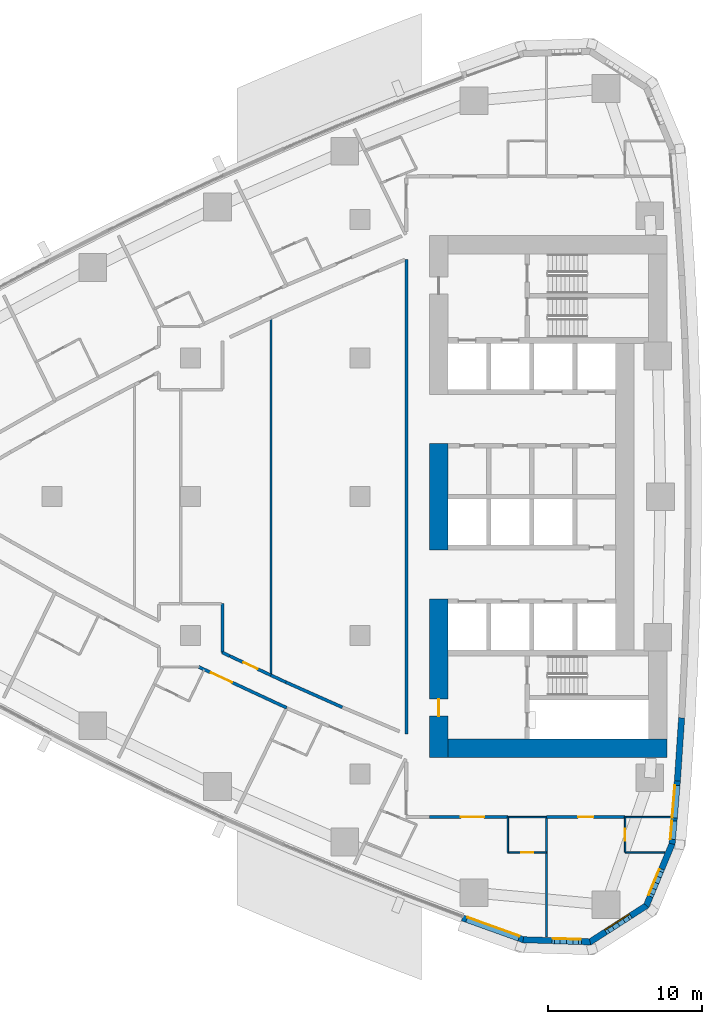
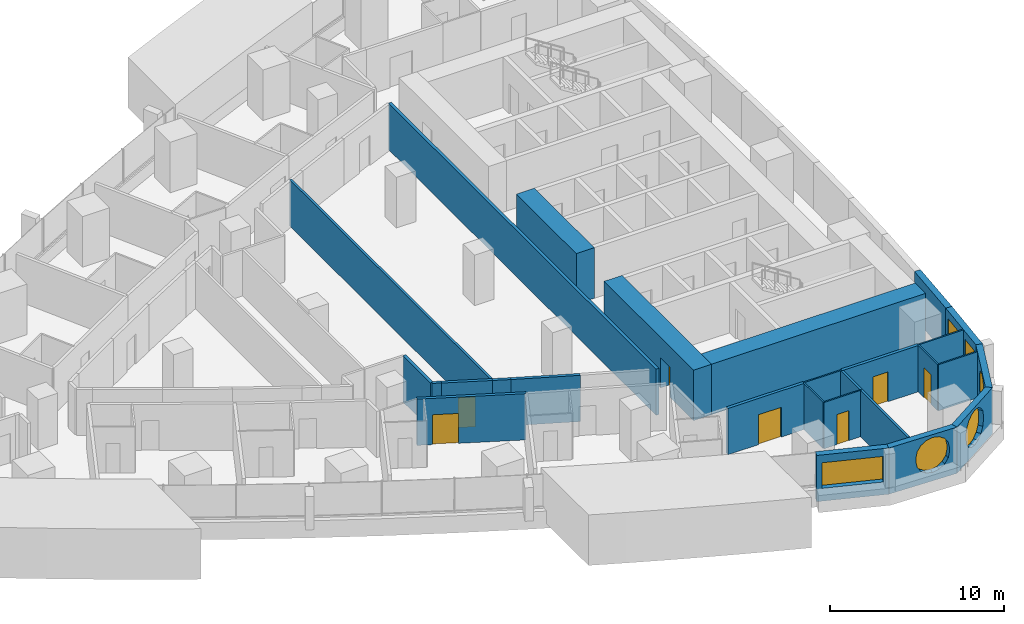
# One storey, part 10 of 19: 26 walls, 7 doors, 6 windows, 13 openings.
"""IFC4 building model written with IfcOpenShell, lengths in metres."""

from ifc_helpers import new_model, si_unit, direction, frame, frame_2d, origin, place, context, subcontext, project, spatial, polyline, rectangle, outline, extrude, material, layer, layer_set, type_object, element, fill, save


model = new_model("IFC4")

# Units and contexts
model_context = context("Model", 3, precision=1e-05, world=origin(), true_north=direction((0.0, 1.0)))
body_context = subcontext(model_context, "Body", "Model", "MODEL_VIEW")
ifc_project = project(units=[si_unit("LENGTHUNIT", "METRE"), si_unit("AREAUNIT", "SQUARE_METRE"), si_unit("VOLUMEUNIT", "CUBIC_METRE"), si_unit("PLANEANGLEUNIT", "RADIAN"), si_unit("MASSUNIT", "GRAM", prefix="KILO")], contexts=[model_context])

# Site, building, storey
site_placement = place(None, origin())
site = spatial("IfcSite", under=ifc_project, at=site_placement, CompositionType="ELEMENT")
building_placement = place(site_placement, origin())
building = spatial("IfcBuilding", under=site, at=building_placement, Name="Ostrand Prow Hotel Tower", CompositionType="ELEMENT")
storey_placement = place(building_placement, frame((0.0, 0.0, 53.800048828125)))
storey = spatial("IfcBuildingStorey", under=building, at=storey_placement, Name="L11", CompositionType="ELEMENT", Elevation=53.800048828125)

# Wall
ifc_material_1 = material(Name="Concrete C80/95", Category="concrete")
ifc_layer_1 = layer(ifc_material_1, 1.199951171875)
ifc_layer_set_1 = layer_set([ifc_layer_1], Name="Concrete C80/95")
wall_type_1 = type_object("IfcWallType", Name="Core wall 1200 C80/95", PredefinedType="SHEAR", material=ifc_layer_set_1)
wall_1_placement = place(storey_placement, frame((50.10009765625, -3.449951171875, 0.0), z_axis=(0.0, 0.0, 1.0), x_axis=(0.0, 1.0, 0.0)))
element("IfcWall", 1, at=wall_1_placement, inside=storey, type_object=wall_type_1, Name="Core wall CW-W-C", PredefinedType="SHEAR", context=body_context, shape_type="SweptSolid", body=[
    extrude(rectangle(XDim=6.89990234375, YDim=1.199951171875, at=frame_2d((3.449951171875, 0.0))), origin(), (0.0, 0.0, 1.0), 3.550048828125),
])

# Wall, opening, door
wall_2_placement = place(storey_placement, frame((50.10009765625, -16.949951171875, 0.0), z_axis=(0.0, 0.0, 1.0), x_axis=(0.0, 1.0, 0.0)))
wall_2 = element("IfcWall", 2, at=wall_2_placement, inside=storey, type_object=wall_type_1, Name="Core wall CW-W-S", PredefinedType="SHEAR", context=body_context, shape_type="SweptSolid", body=[
    extrude(rectangle(XDim=10.300048828125, YDim=1.199951171875, at=frame_2d((5.14990234375, 0.0))), origin(), (0.0, 0.0, 1.0), 3.550048828125),
])
opening_1_placement = place(wall_2_placement, frame((2.699951171875, 0.0, 0.0)))
opening_1 = element("IfcOpeningElement", 3, at=opening_1_placement, cuts=wall_2, Name="Opening FD1", PredefinedType="OPENING", context=body_context, shape_type="SweptSolid", body=[
    extrude(rectangle(XDim=1.10009765625, YDim=2.10009765625, at=frame_2d((0.550048828125, 1.050048828125))), frame((0.0, 0.60986328125, 0.0), z_axis=(0.0, -1.0, 0.0), x_axis=(1.0, 0.0, 0.0)), (0.0, 0.0, 1.0), 1.219970703125),
])
ifc_material_2 = material(Name="Steel fire door", Category="steel")
door_type_1 = type_object("IfcDoorType", Name="Fire door 1100 EI120", OperationType="SINGLE_SWING_RIGHT", PredefinedType="DOOR", material=ifc_material_2)
door_1_placement = place(opening_1_placement, origin())
door_1 = element("IfcDoor", 4, at=door_1_placement, inside=storey, type_object=door_type_1, Name="FIRE DOOR", OperationType="SINGLE_SWING_RIGHT", OverallHeight=2.10009765625, OverallWidth=1.10009765625, PredefinedType="DOOR", context=body_context, shape_type="SweptSolid", body=[
    extrude(rectangle(XDim=1.10009765625, YDim=2.10009765625, at=frame_2d((0.550048828125, 1.050048828125))), frame((0.0, 0.02490234375, 0.0), z_axis=(0.0, -1.0, 0.0), x_axis=(1.0, 0.0, 0.0)), (0.0, 0.0, 1.0), 0.050048828125),
])
fill(opening_1, door_1)

# Walls
wall_3_placement = place(storey_placement, frame((50.699951171875, -16.35009765625, 0.0), z_axis=(0.0, 0.0, 1.0), x_axis=(1.0, 0.0, 0.0)))
element("IfcWall", 5, at=wall_3_placement, inside=storey, type_object=wall_type_1, Name="Core wall CW-S", PredefinedType="SHEAR", context=body_context, shape_type="SweptSolid", body=[
    extrude(rectangle(XDim=14.219970703125, YDim=1.199951171875, at=frame_2d((7.10986328125, 0.0))), origin(), (0.0, 0.0, 1.0), 3.550048828125),
])
ifc_material_3 = material(Name="Plasterboard partition")
ifc_layer_2 = layer(ifc_material_3, 0.10009765625)
ifc_layer_set_2 = layer_set([ifc_layer_2], Name="Plasterboard partition")
wall_type_2 = type_object("IfcWallType", Name="Partition 100 bathroom wall", PredefinedType="PARTITIONING", material=ifc_layer_set_2)
wall_4_placement = place(storey_placement, frame((54.601806640625, -23.10009765625, 0.0), z_axis=(0.0, 0.0, 1.0), x_axis=(0.0, 1.0, 0.0)))
element("IfcWall", 6, at=wall_4_placement, inside=storey, type_object=wall_type_2, Name="BATHROOM WALL", PredefinedType="PARTITIONING", context=body_context, shape_type="SweptSolid", body=[
    extrude(rectangle(XDim=2.300048828125, YDim=0.10009765625, at=frame_2d((1.14990234375, 0.0))), origin(), (0.0, 0.0, 1.0), 3.25),
])

# Wall, opening, door
wall_5_placement = place(storey_placement, frame((57.101806640625, -23.10009765625, 0.0), z_axis=(0.0, 0.0, 1.0), x_axis=(-1.0, 0.0, 0.0)))
wall_5 = element("IfcWall", 7, at=wall_5_placement, inside=storey, type_object=wall_type_2, Name="BATHROOM WALL", PredefinedType="PARTITIONING", context=body_context, shape_type="SweptSolid", body=[
    extrude(rectangle(XDim=2.5, YDim=0.10009765625, at=frame_2d((1.25, 0.0))), origin(), (0.0, 0.0, 1.0), 3.25),
])
opening_2_placement = place(wall_5_placement, frame((0.85009765625, 0.0, 0.0)))
opening_2 = element("IfcOpeningElement", 8, at=opening_2_placement, cuts=wall_5, Name="Opening D2", PredefinedType="OPENING", context=body_context, shape_type="SweptSolid", body=[
    extrude(rectangle(XDim=0.800048828125, YDim=2.10009765625, at=frame_2d((0.39990234375, 1.050048828125))), frame((0.0, 0.06005859375, 0.0), z_axis=(0.0, -1.0, 0.0), x_axis=(1.0, 0.0, 0.0)), (0.0, 0.0, 1.0), 0.1201171875),
])
ifc_material_4 = material(Name="Timber door leaf", Category="wood")
door_type_2 = type_object("IfcDoorType", Name="Bathroom door 800", OperationType="SINGLE_SWING_LEFT", PredefinedType="DOOR", material=ifc_material_4)
door_2_placement = place(opening_2_placement, origin())
door_2 = element("IfcDoor", 9, at=door_2_placement, inside=storey, type_object=door_type_2, Name="DOOR", OperationType="SINGLE_SWING_LEFT", OverallHeight=2.10009765625, OverallWidth=0.800048828125, PredefinedType="DOOR", context=body_context, shape_type="SweptSolid", body=[
    extrude(rectangle(XDim=0.800048828125, YDim=2.10009765625, at=frame_2d((0.39990234375, 1.050048828125))), frame((0.0, 0.02490234375, 0.0), z_axis=(0.0, -1.0, 0.0), x_axis=(1.0, 0.0, 0.0)), (0.0, 0.0, 1.0), 0.050048828125),
])
fill(opening_2, door_2)

# Wall
wall_6_placement = place(storey_placement, frame((64.781494140625, -23.10009765625, 0.0), z_axis=(0.0, 0.0, 1.0), x_axis=(-1.0, 0.0, 0.0)))
element("IfcWall", 10, at=wall_6_placement, inside=storey, type_object=wall_type_2, Name="BATHROOM WALL", PredefinedType="PARTITIONING", context=body_context, shape_type="SweptSolid", body=[
    extrude(rectangle(XDim=2.578125, YDim=0.10009765625, at=frame_2d((1.2890625, 0.0))), origin(), (0.0, 0.0, 1.0), 3.25),
])

# Wall, opening, door
wall_7_placement = place(storey_placement, frame((62.203369140625, -23.10009765625, 0.0), z_axis=(0.0, 0.0, 1.0), x_axis=(0.0, 1.0, 0.0)))
wall_7 = element("IfcWall", 11, at=wall_7_placement, inside=storey, type_object=wall_type_2, Name="BATHROOM WALL", PredefinedType="PARTITIONING", context=body_context, shape_type="SweptSolid", body=[
    extrude(rectangle(XDim=2.300048828125, YDim=0.10009765625, at=frame_2d((1.14990234375, 0.0))), origin(), (0.0, 0.0, 1.0), 3.25),
])
opening_3_placement = place(wall_7_placement, frame((0.75, 0.0, 0.0)))
opening_3 = element("IfcOpeningElement", 12, at=opening_3_placement, cuts=wall_7, Name="Opening D2", PredefinedType="OPENING", context=body_context, shape_type="SweptSolid", body=[
    extrude(rectangle(XDim=0.800048828125, YDim=2.10009765625, at=frame_2d((0.39990234375, 1.050048828125))), frame((0.0, 0.06005859375, 0.0), z_axis=(0.0, -1.0, 0.0), x_axis=(1.0, 0.0, 0.0)), (0.0, 0.0, 1.0), 0.1201171875),
])
door_3_placement = place(opening_3_placement, origin())
door_3 = element("IfcDoor", 13, at=door_3_placement, inside=storey, type_object=door_type_2, Name="DOOR", OperationType="SINGLE_SWING_LEFT", OverallHeight=2.10009765625, OverallWidth=0.800048828125, PredefinedType="DOOR", context=body_context, shape_type="SweptSolid", body=[
    extrude(rectangle(XDim=0.800048828125, YDim=2.10009765625, at=frame_2d((0.39990234375, 1.050048828125))), frame((0.0, 0.02490234375, 0.0), z_axis=(0.0, -1.0, 0.0), x_axis=(1.0, 0.0, 0.0)), (0.0, 0.0, 1.0), 0.050048828125),
])
fill(opening_3, door_3)

# Walls
wall_8_placement = place(storey_placement, frame((54.601806640625, -20.804931640625, 0.0), z_axis=(0.0, 0.0, 1.0), x_axis=(1.0, 0.0, 0.0)))
element("IfcWall", 14, at=wall_8_placement, inside=storey, type_object=wall_type_2, Name="BATHROOM WALL", PredefinedType="PARTITIONING", context=body_context, shape_type="SweptSolid", body=[
    extrude(rectangle(XDim=2.5, YDim=0.10009765625, at=frame_2d((1.25, 0.0))), origin(), (0.0, 0.0, 1.0), 3.25),
])
wall_9_placement = place(storey_placement, frame((62.203369140625, -20.804931640625, 0.0), z_axis=(0.0, 0.0, 1.0), x_axis=(1.0, 0.0, 0.0)))
element("IfcWall", 15, at=wall_9_placement, inside=storey, type_object=wall_type_2, Name="BATHROOM WALL", PredefinedType="PARTITIONING", context=body_context, shape_type="SweptSolid", body=[
    extrude(rectangle(XDim=2.97119140625, YDim=0.10009765625, at=frame_2d((1.485595703125, 0.0))), origin(), (0.0, 0.0, 1.0), 3.25),
])
ifc_material_5 = material(Name="Plasterboard partition")
ifc_layer_3 = layer(ifc_material_5, 0.14990234375)
ifc_layer_set_3 = layer_set([ifc_layer_3], Name="Plasterboard partition")
wall_type_3 = type_object("IfcWallType", Name="Partition 150 room partition", PredefinedType="PARTITIONING", material=ifc_layer_set_3)
wall_10_placement = place(storey_placement, frame((57.101806640625, -28.5869140625, 0.0), z_axis=(0.0, 0.0, 1.0), x_axis=(0.0, 1.0, 0.0)))
element("IfcWall", 16, at=wall_10_placement, inside=storey, type_object=wall_type_3, Name="ROOM PARTITION", PredefinedType="PARTITIONING", context=body_context, shape_type="SweptSolid", body=[
    extrude(rectangle(XDim=7.786865234375, YDim=0.14990234375, at=frame_2d((3.8935546875, 0.0))), origin(), (0.0, 0.0, 1.0), 3.25),
])
wall_11_placement = place(storey_placement, frame((39.2119140625, -11.5966796875, 0.0), z_axis=(0.0, 0.0, 1.0), x_axis=(0.0, 1.0, 0.0)))
element("IfcWall", 17, at=wall_11_placement, inside=storey, type_object=wall_type_3, Name="ROOM PARTITION", PredefinedType="PARTITIONING", context=body_context, shape_type="SweptSolid", body=[
    extrude(rectangle(XDim=23.193359375, YDim=0.14990234375, at=frame_2d((11.5966796875, 0.0))), origin(), (0.0, 0.0, 1.0), 3.25),
])

# Wall, opening, door
ifc_material_6 = material(Name="Plasterboard partition")
ifc_layer_4 = layer(ifc_material_6, 0.199951171875)
ifc_layer_set_4 = layer_set([ifc_layer_4], Name="Plasterboard partition")
wall_type_4 = type_object("IfcWallType", Name="Partition 200 corridor wall", PredefinedType="PARTITIONING", material=ifc_layer_set_4)
wall_12_placement = place(storey_placement, frame((34.5087890625, -11.050048828125, 0.0), z_axis=(0.0, 0.0, 1.0), x_axis=(0.906710104698, -0.421754414368, 0.0)))
wall_12 = element("IfcWall", 18, at=wall_12_placement, inside=storey, type_object=wall_type_4, Name="CORRIDOR WALL", PredefinedType="PARTITIONING", context=body_context, shape_type="SweptSolid", body=[
    extrude(rectangle(XDim=6.31201171875, YDim=0.199951171875, at=frame_2d((3.156005859375, 0.0))), origin(), (0.0, 0.0, 1.0), 3.25),
])
opening_4_placement = place(wall_12_placement, frame((0.89990234375, 0.0, 0.0)))
opening_4 = element("IfcOpeningElement", 19, at=opening_4_placement, cuts=wall_12, Name="Opening D15", PredefinedType="OPENING", context=body_context, shape_type="SweptSolid", body=[
    extrude(rectangle(XDim=1.5, YDim=2.10009765625, at=frame_2d((0.75, 1.050048828125))), frame((0.0, 0.10986328125, 0.0), z_axis=(0.0, -1.0, 0.0), x_axis=(1.0, 0.0, 0.0)), (0.0, 0.0, 1.0), 0.219970703125),
])
ifc_material_7 = material(Name="Timber door leaf", Category="wood")
door_type_3 = type_object("IfcDoorType", Name="Double door 1500", OperationType="DOUBLE_DOOR_SINGLE_SWING", PredefinedType="DOOR", material=ifc_material_7)
door_4_placement = place(opening_4_placement, origin())
door_4 = element("IfcDoor", 20, at=door_4_placement, inside=storey, type_object=door_type_3, Name="DOOR", OperationType="DOUBLE_DOOR_SINGLE_SWING", OverallHeight=2.10009765625, OverallWidth=1.5, PredefinedType="DOOR", context=body_context, shape_type="SweptSolid", body=[
    extrude(rectangle(XDim=1.5, YDim=2.10009765625, at=frame_2d((0.75, 1.050048828125))), frame((0.0, 0.02490234375, 0.0), z_axis=(0.0, -1.0, 0.0), x_axis=(1.0, 0.0, 0.0)), (0.0, 0.0, 1.0), 0.050048828125),
])
fill(opening_4, door_4)

wall_13_placement = place(storey_placement, frame((39.2119140625, -11.5966796875, 0.0), z_axis=(0.0, 0.0, 1.0), x_axis=(-0.906348100281, 0.422531798943, 0.0)))
wall_13 = element("IfcWall", 21, at=wall_13_placement, inside=storey, type_object=wall_type_4, Name="CORRIDOR WALL", PredefinedType="PARTITIONING", context=body_context, shape_type="SweptSolid", body=[
    extrude(rectangle(XDim=2.947998046875, YDim=0.199951171875, at=frame_2d((1.47412109375, 0.0))), origin(), (0.0, 0.0, 1.0), 3.25),
])
opening_5_placement = place(wall_13_placement, frame((0.97412109375, 0.0, 0.0)))
opening_5 = element("IfcOpeningElement", 22, at=opening_5_placement, cuts=wall_13, Name="Opening D1R", PredefinedType="OPENING", context=body_context, shape_type="SweptSolid", body=[
    extrude(rectangle(XDim=1.0, YDim=2.10009765625, at=frame_2d((0.5, 1.050048828125))), frame((0.0, 0.10986328125, 0.0), z_axis=(0.0, -1.0, 0.0), x_axis=(1.0, 0.0, 0.0)), (0.0, 0.0, 1.0), 0.219970703125),
])
ifc_material_8 = material(Name="Timber door leaf", Category="wood")
door_type_4 = type_object("IfcDoorType", Name="Guest room door 1000 right", OperationType="SINGLE_SWING_RIGHT", PredefinedType="DOOR", material=ifc_material_8)
door_5_placement = place(opening_5_placement, origin())
door_5 = element("IfcDoor", 23, at=door_5_placement, inside=storey, type_object=door_type_4, Name="DOOR", OperationType="SINGLE_SWING_RIGHT", OverallHeight=2.10009765625, OverallWidth=1.0, PredefinedType="DOOR", context=body_context, shape_type="SweptSolid", body=[
    extrude(rectangle(XDim=1.0, YDim=2.10009765625, at=frame_2d((0.5, 1.050048828125))), frame((0.0, 0.02490234375, 0.0), z_axis=(0.0, -1.0, 0.0), x_axis=(1.0, 0.0, 0.0)), (0.0, 0.0, 1.0), 0.050048828125),
])
fill(opening_5, door_5)

# Walls
wall_14_placement = place(storey_placement, frame((43.85009765625, -13.67724609375, 0.0), z_axis=(0.0, 0.0, 1.0), x_axis=(-0.913986953061, 0.405743576209, 0.0)))
element("IfcWall", 24, at=wall_14_placement, inside=storey, type_object=wall_type_4, Name="CORRIDOR WALL", PredefinedType="PARTITIONING", context=body_context, shape_type="SweptSolid", body=[
    extrude(rectangle(XDim=4.015869140625, YDim=0.199951171875, at=frame_2d((2.0078125, 0.0))), origin(), (0.0, 0.0, 1.0), 3.25),
])
wall_15_placement = place(storey_placement, frame((40.1796875, -12.0478515625, 0.0), z_axis=(0.0, 0.0, 1.0), x_axis=(-0.906346628109, 0.422534956797, 0.0)))
element("IfcWall", 25, at=wall_15_placement, inside=storey, type_object=wall_type_4, Name="CORRIDOR WALL", PredefinedType="PARTITIONING", context=body_context, shape_type="SweptSolid", body=[
    extrude(rectangle(XDim=1.06787109375, YDim=0.199951171875, at=frame_2d((0.533935546875, 0.0))), origin(), (0.0, 0.0, 1.0), 3.25),
])

# Wall, opening, door
wall_16_placement = place(storey_placement, frame((49.5, -20.804931640625, 0.0), z_axis=(0.0, 0.0, 1.0), x_axis=(1.0, 0.0, 0.0)))
wall_16 = element("IfcWall", 26, at=wall_16_placement, inside=storey, type_object=wall_type_4, Name="CORRIDOR WALL", PredefinedType="PARTITIONING", context=body_context, shape_type="SweptSolid", body=[
    extrude(rectangle(XDim=5.0966796875, YDim=0.199951171875, at=frame_2d((2.54833984375, 0.0))), origin(), (0.0, 0.0, 1.0), 3.25),
])
opening_6_placement = place(wall_16_placement, frame((2.04833984375, 0.0, 0.0)))
opening_6 = element("IfcOpeningElement", 27, at=opening_6_placement, cuts=wall_16, Name="Opening D15", PredefinedType="OPENING", context=body_context, shape_type="SweptSolid", body=[
    extrude(rectangle(XDim=1.5, YDim=2.10009765625, at=frame_2d((0.75, 1.050048828125))), frame((0.0, 0.10986328125, 0.0), z_axis=(0.0, -1.0, 0.0), x_axis=(1.0, 0.0, 0.0)), (0.0, 0.0, 1.0), 0.219970703125),
])
door_6_placement = place(opening_6_placement, origin())
door_6 = element("IfcDoor", 28, at=door_6_placement, inside=storey, type_object=door_type_3, Name="DOOR", OperationType="DOUBLE_DOOR_SINGLE_SWING", OverallHeight=2.10009765625, OverallWidth=1.5, PredefinedType="DOOR", context=body_context, shape_type="SweptSolid", body=[
    extrude(rectangle(XDim=1.5, YDim=2.10009765625, at=frame_2d((0.75, 1.050048828125))), frame((0.0, 0.02490234375, 0.0), z_axis=(0.0, -1.0, 0.0), x_axis=(1.0, 0.0, 0.0)), (0.0, 0.0, 1.0), 0.050048828125),
])
fill(opening_6, door_6)

wall_17_placement = place(storey_placement, frame((57.106689453125, -20.804931640625, 0.0), z_axis=(0.0, 0.0, 1.0), x_axis=(1.0, 0.0, 0.0)))
wall_17 = element("IfcWall", 29, at=wall_17_placement, inside=storey, type_object=wall_type_4, Name="CORRIDOR WALL", PredefinedType="PARTITIONING", context=body_context, shape_type="SweptSolid", body=[
    extrude(rectangle(XDim=5.091552734375, YDim=0.199951171875, at=frame_2d((2.5458984375, 0.0))), origin(), (0.0, 0.0, 1.0), 3.25),
])
opening_7_placement = place(wall_17_placement, frame((2.0458984375, 0.0, 0.0)))
opening_7 = element("IfcOpeningElement", 30, at=opening_7_placement, cuts=wall_17, Name="Opening D1", PredefinedType="OPENING", context=body_context, shape_type="SweptSolid", body=[
    extrude(rectangle(XDim=1.0, YDim=2.10009765625, at=frame_2d((0.5, 1.050048828125))), frame((0.0, 0.10986328125, 0.0), z_axis=(0.0, -1.0, 0.0), x_axis=(1.0, 0.0, 0.0)), (0.0, 0.0, 1.0), 0.219970703125),
])
ifc_material_9 = material(Name="Timber door leaf", Category="wood")
door_type_5 = type_object("IfcDoorType", Name="Guest room door 1000", OperationType="SINGLE_SWING_LEFT", PredefinedType="DOOR", material=ifc_material_9)
door_7_placement = place(opening_7_placement, origin())
door_7 = element("IfcDoor", 31, at=door_7_placement, inside=storey, type_object=door_type_5, Name="DOOR", OperationType="SINGLE_SWING_LEFT", OverallHeight=2.10009765625, OverallWidth=1.0, PredefinedType="DOOR", context=body_context, shape_type="SweptSolid", body=[
    extrude(rectangle(XDim=1.0, YDim=2.10009765625, at=frame_2d((0.5, 1.050048828125))), frame((0.0, 0.02490234375, 0.0), z_axis=(0.0, -1.0, 0.0), x_axis=(1.0, 0.0, 0.0)), (0.0, 0.0, 1.0), 0.050048828125),
])
fill(opening_7, door_7)

# Walls
wall_18_placement = place(storey_placement, frame((36.054931640625, -10.1083984375, 0.0), z_axis=(0.0, 0.0, 1.0), x_axis=(-0.000540415269, 0.999999853976, 0.0)))
element("IfcWall", 32, at=wall_18_placement, inside=storey, type_object=wall_type_4, Name="CORRIDOR WALL", PredefinedType="PARTITIONING", context=body_context, shape_type="SweptSolid", body=[
    extrude(rectangle(XDim=3.162353515625, YDim=0.199951171875, at=frame_2d((1.5810546875, 0.0))), origin(), (0.0, 0.0, 1.0), 3.25),
])
wall_19_placement = place(storey_placement, frame((48.0, 15.4140625, 0.0), z_axis=(0.0, 0.0, 1.0), x_axis=(0.0, -1.0, 0.0)))
element("IfcWall", 33, at=wall_19_placement, inside=storey, type_object=wall_type_4, Name="CORRIDOR WALL", PredefinedType="PARTITIONING", context=body_context, shape_type="SweptSolid", body=[
    extrude(rectangle(XDim=30.828125, YDim=0.199951171875, at=frame_2d((15.4140625, 0.0))), origin(), (0.0, 0.0, 1.0), 3.25),
])
wall_20_placement = place(storey_placement, frame((36.5400390625, -10.35107421875, 0.0), z_axis=(0.0, 0.0, 1.0), x_axis=(-0.894337154042, 0.447393624116, 0.0)))
element("IfcWall", 34, at=wall_20_placement, inside=storey, type_object=wall_type_4, Name="CORRIDOR WALL", PredefinedType="PARTITIONING", context=body_context, shape_type="SweptSolid", body=[
    extrude(rectangle(XDim=0.54248046875, YDim=0.199951171875, at=frame_2d((0.271240234375, 0.0))), origin(), (0.0, 0.0, 1.0), 3.25),
])

# Wall, opening, window
ifc_material_10 = material(Name="Precast concrete C40/50", Category="concrete")
ifc_layer_5 = layer(ifc_material_10, 0.39990234375)
ifc_layer_set_5 = layer_set([ifc_layer_5], Name="Precast concrete C40/50")
wall_type_5 = type_object("IfcWallType", Name="Stone-faced precast wall 400 mm", PredefinedType="NOTDEFINED", material=ifc_layer_set_5)
wall_21_placement = place(storey_placement, frame((51.639892578125, -27.3515625, 0.0), z_axis=(0.0, 0.0, 1.0), x_axis=(0.941339752885, -0.337460323057, 0.0)))
wall_21 = element("IfcWall", 35, at=wall_21_placement, inside=storey, type_object=wall_type_5, Name="Stone-faced wall back 1", PredefinedType="NOTDEFINED", context=body_context, shape_type="SweptSolid", body=[
    extrude(outline(polyline([(0.0, -0.199951171875), (4.2275390625, -0.199951171875), (4.16455078125, 0.199951171875), (0.0, 0.199951171875), (0.0, -0.199951171875)])), origin(), (0.0, 0.0, 1.0), 3.25),
])
opening_8_placement = place(wall_21_placement, frame((0.298095703125, 0.0, 0.89990234375)))
opening_8 = element("IfcOpeningElement", 36, at=opening_8_placement, cuts=wall_21, Name="Opening WS3-36", PredefinedType="OPENING", context=body_context, shape_type="SweptSolid", body=[
    extrude(rectangle(XDim=3.60009765625, YDim=1.800048828125, at=frame_2d((1.800048828125, 0.89990234375))), frame((0.0, 0.2099609375, 0.0), z_axis=(0.0, -1.0, 0.0), x_axis=(1.0, 0.0, 0.0)), (0.0, 0.0, 1.0), 0.419921875),
])
ifc_material_11 = material(Name="Insulated glass in bronze frame", Category="glass")
window_type_1 = type_object("IfcWindowType", Name="Strip window 3600x1800", PartitioningType="SINGLE_PANEL", PredefinedType="WINDOW", material=ifc_material_11)
window_1_placement = place(opening_8_placement, origin())
window_1 = element("IfcWindow", 37, at=window_1_placement, inside=storey, type_object=window_type_1, Name="Window back 1.1", OverallHeight=1.800048828125, OverallWidth=3.60009765625, PartitioningType="SINGLE_PANEL", PredefinedType="WINDOW", context=body_context, shape_type="SweptSolid", body=[
    extrude(rectangle(XDim=3.60009765625, YDim=1.800048828125, at=frame_2d((1.800048828125, 0.89990234375))), frame((0.0, 0.169921875, 0.0), z_axis=(0.0, -1.0, 0.0), x_axis=(1.0, 0.0, 0.0)), (0.0, 0.0, 1.0), 0.06005859375),
])
fill(opening_8, window_1)

wall_22_placement = place(storey_placement, frame((55.58984375, -28.767578125, 0.0), z_axis=(0.0, 0.0, 1.0), x_axis=(0.999463576228, -0.032749958686, 0.0)))
wall_22 = element("IfcWall", 38, at=wall_22_placement, inside=storey, type_object=wall_type_5, Name="Stone-faced wall back 2", PredefinedType="NOTDEFINED", context=body_context, shape_type="SweptSolid", body=[
    extrude(outline(polyline([(-0.031494140625, -0.199951171875), (4.40869140625, -0.199951171875), (4.28369140625, 0.199951171875), (0.031494140625, 0.199951171875), (-0.031494140625, -0.199951171875)])), origin(), (0.0, 0.0, 1.0), 3.25),
])
opening_9_placement = place(wall_22_placement, frame((1.724365234375, 0.0, 0.60009765625)))
opening_9 = element("IfcOpeningElement", 39, at=opening_9_placement, cuts=wall_22, Name="Opening WP1", PredefinedType="OPENING", context=body_context, shape_type="SweptSolid", body=[
    extrude(outline(polyline([(0.0, 1.35009765625), (0.083740234375, 1.77099609375), (0.322265625, 2.127685546875), (0.678955078125, 2.3662109375), (1.10009765625, 2.449951171875), (1.52099609375, 2.3662109375), (1.877685546875, 2.127685546875), (2.1162109375, 1.77099609375), (2.199951171875, 1.35009765625), (2.199951171875, 1.10009765625), (2.1162109375, 0.678955078125), (1.877685546875, 0.322265625), (1.52099609375, 0.083740234375), (1.10009765625, 0.0), (0.678955078125, 0.083740234375), (0.322265625, 0.322265625), (0.083740234375, 0.678955078125), (0.0, 1.099853515625), (0.0, 1.35009765625)])), frame((0.0, 0.2099609375, 0.0), z_axis=(0.0, -1.0, 0.0), x_axis=(1.0, 0.0, 0.0)), (0.0, 0.0, 1.0), 0.419921875),
])
ifc_material_12 = material(Name="Insulated glass in bronze frame", Category="glass")
window_type_2 = type_object("IfcWindowType", Name="Round-ended prow window 2200x2450", PartitioningType="SINGLE_PANEL", PredefinedType="WINDOW", material=ifc_material_12)
window_2_placement = place(opening_9_placement, origin())
window_2 = element("IfcWindow", 40, at=window_2_placement, inside=storey, type_object=window_type_2, Name="Window back 2.1", OverallHeight=2.449951171875, OverallWidth=2.199951171875, PartitioningType="SINGLE_PANEL", PredefinedType="WINDOW", context=body_context, shape_type="SweptSolid", body=[
    extrude(outline(polyline([(0.0, 1.35009765625), (0.083740234375, 1.77099609375), (0.322265625, 2.127685546875), (0.678955078125, 2.3662109375), (1.10009765625, 2.449951171875), (1.52099609375, 2.3662109375), (1.877685546875, 2.127685546875), (2.1162109375, 1.77099609375), (2.199951171875, 1.35009765625), (2.199951171875, 1.10009765625), (2.1162109375, 0.678955078125), (1.877685546875, 0.322265625), (1.52099609375, 0.083740234375), (1.10009765625, 0.0), (0.678955078125, 0.083740234375), (0.322265625, 0.322265625), (0.083740234375, 0.678955078125), (0.0, 1.099853515625), (0.0, 1.35009765625)])), frame((0.0, 0.169921875, 0.0), z_axis=(0.0, -1.0, 0.0), x_axis=(1.0, 0.0, 0.0)), (0.0, 0.0, 1.0), 0.06005859375),
])
fill(opening_9, window_2)

wall_23_placement = place(storey_placement, frame((59.93359375, -28.909912109375, 0.0), z_axis=(0.0, 0.0, 1.0), x_axis=(0.840937468718, 0.541132307025, 0.0)))
wall_23 = element("IfcWall", 41, at=wall_23_placement, inside=storey, type_object=wall_type_5, Name="Stone-faced wall back 3", PredefinedType="NOTDEFINED", context=body_context, shape_type="SweptSolid", body=[
    extrude(outline(polyline([(-0.0625, -0.199951171875), (4.40869140625, -0.199951171875), (4.28369140625, 0.199951171875), (0.0625, 0.199951171875), (-0.0625, -0.199951171875)])), origin(), (0.0, 0.0, 1.0), 3.25),
])
opening_10_placement = place(wall_23_placement, frame((1.072998046875, 0.0, 0.60009765625)))
opening_10 = element("IfcOpeningElement", 42, at=opening_10_placement, cuts=wall_23, Name="Opening WP1", PredefinedType="OPENING", context=body_context, shape_type="SweptSolid", body=[
    extrude(outline(polyline([(0.0, 1.35009765625), (0.083740234375, 1.77099609375), (0.322265625, 2.127685546875), (0.678955078125, 2.3662109375), (1.10009765625, 2.449951171875), (1.52099609375, 2.3662109375), (1.877685546875, 2.127685546875), (2.1162109375, 1.77099609375), (2.199951171875, 1.35009765625), (2.199951171875, 1.10009765625), (2.1162109375, 0.678955078125), (1.877685546875, 0.322265625), (1.52099609375, 0.083740234375), (1.10009765625, 0.0), (0.678955078125, 0.083740234375), (0.322265625, 0.322265625), (0.083740234375, 0.678955078125), (0.0, 1.099853515625), (0.0, 1.35009765625)])), frame((0.0, 0.2099609375, 0.0), z_axis=(0.0, -1.0, 0.0), x_axis=(1.0, 0.0, 0.0)), (0.0, 0.0, 1.0), 0.419921875),
])
window_3_placement = place(opening_10_placement, origin())
window_3 = element("IfcWindow", 43, at=window_3_placement, inside=storey, type_object=window_type_2, Name="Window back 3.1", OverallHeight=2.449951171875, OverallWidth=2.199951171875, PartitioningType="SINGLE_PANEL", PredefinedType="WINDOW", context=body_context, shape_type="SweptSolid", body=[
    extrude(outline(polyline([(0.0, 1.35009765625), (0.083740234375, 1.77099609375), (0.322265625, 2.127685546875), (0.678955078125, 2.3662109375), (1.10009765625, 2.449951171875), (1.52099609375, 2.3662109375), (1.877685546875, 2.127685546875), (2.1162109375, 1.77099609375), (2.199951171875, 1.35009765625), (2.199951171875, 1.10009765625), (2.1162109375, 0.678955078125), (1.877685546875, 0.322265625), (1.52099609375, 0.083740234375), (1.10009765625, 0.0), (0.678955078125, 0.083740234375), (0.322265625, 0.322265625), (0.083740234375, 0.678955078125), (0.0, 1.099853515625), (0.0, 1.35009765625)])), frame((0.0, 0.169921875, 0.0), z_axis=(0.0, -1.0, 0.0), x_axis=(1.0, 0.0, 0.0)), (0.0, 0.0, 1.0), 0.06005859375),
])
fill(opening_10, window_3)

wall_24_placement = place(storey_placement, frame((63.58837890625, -26.55810546875, 0.0), z_axis=(0.0, 0.0, 1.0), x_axis=(0.384372042685, 0.923178277908, 0.0)))
wall_24 = element("IfcWall", 44, at=wall_24_placement, inside=storey, type_object=wall_type_5, Name="Stone-faced wall back 4", PredefinedType="NOTDEFINED", context=body_context, shape_type="SweptSolid", body=[
    extrude(outline(polyline([(-0.0625, -0.199951171875), (4.376953125, -0.199951171875), (4.314453125, 0.199951171875), (0.0625, 0.199951171875), (-0.0625, -0.199951171875)])), origin(), (0.0, 0.0, 1.0), 3.25),
])
opening_11_placement = place(wall_24_placement, frame((0.515380859375, 0.0, 0.60009765625)))
opening_11 = element("IfcOpeningElement", 45, at=opening_11_placement, cuts=wall_24, Name="Opening WP1", PredefinedType="OPENING", context=body_context, shape_type="SweptSolid", body=[
    extrude(outline(polyline([(0.0, 1.35009765625), (0.083740234375, 1.77099609375), (0.322265625, 2.127685546875), (0.678955078125, 2.3662109375), (1.10009765625, 2.449951171875), (1.52099609375, 2.3662109375), (1.877685546875, 2.127685546875), (2.1162109375, 1.77099609375), (2.199951171875, 1.35009765625), (2.199951171875, 1.10009765625), (2.1162109375, 0.678955078125), (1.877685546875, 0.322265625), (1.52099609375, 0.083740234375), (1.10009765625, 0.0), (0.678955078125, 0.083740234375), (0.322265625, 0.322265625), (0.083740234375, 0.678955078125), (0.0, 1.099853515625), (0.0, 1.35009765625)])), frame((0.0, 0.2099609375, 0.0), z_axis=(0.0, -1.0, 0.0), x_axis=(1.0, 0.0, 0.0)), (0.0, 0.0, 1.0), 0.419921875),
])
window_4_placement = place(opening_11_placement, origin())
window_4 = element("IfcWindow", 46, at=window_4_placement, inside=storey, type_object=window_type_2, Name="Window back 4.1", OverallHeight=2.449951171875, OverallWidth=2.199951171875, PartitioningType="SINGLE_PANEL", PredefinedType="WINDOW", context=body_context, shape_type="SweptSolid", body=[
    extrude(outline(polyline([(0.0, 1.35009765625), (0.083740234375, 1.77099609375), (0.322265625, 2.127685546875), (0.678955078125, 2.3662109375), (1.10009765625, 2.449951171875), (1.52099609375, 2.3662109375), (1.877685546875, 2.127685546875), (2.1162109375, 1.77099609375), (2.199951171875, 1.35009765625), (2.199951171875, 1.10009765625), (2.1162109375, 0.678955078125), (1.877685546875, 0.322265625), (1.52099609375, 0.083740234375), (1.10009765625, 0.0), (0.678955078125, 0.083740234375), (0.322265625, 0.322265625), (0.083740234375, 0.678955078125), (0.0, 1.099853515625), (0.0, 1.35009765625)])), frame((0.0, 0.169921875, 0.0), z_axis=(0.0, -1.0, 0.0), x_axis=(1.0, 0.0, 0.0)), (0.0, 0.0, 1.0), 0.06005859375),
])
fill(opening_11, window_4)

# Wall, openings, windows
wall_25_placement = place(storey_placement, frame((65.2587890625, -22.546142578125, 0.0), z_axis=(0.0, 0.0, 1.0), x_axis=(0.083793550906, 0.996483136248, 0.0)))
wall_25 = element("IfcWall", 47, at=wall_25_placement, inside=storey, type_object=wall_type_5, Name="Stone-faced wall back 5", PredefinedType="NOTDEFINED", context=body_context, shape_type="SweptSolid", body=[
    extrude(outline(polyline([(-0.03125, -0.199951171875), (4.10693359375, -0.199951171875), (4.103515625, 0.199951171875), (0.03125, 0.199951171875), (-0.03125, -0.199951171875)])), origin(), (0.0, 0.0, 1.0), 3.25),
])
opening_12_placement = place(wall_25_placement, frame((0.302490234375, 0.0, 0.89990234375)))
opening_12 = element("IfcOpeningElement", 48, at=opening_12_placement, cuts=wall_25, Name="Opening WS4", PredefinedType="OPENING", context=body_context, shape_type="SweptSolid", body=[
    extrude(rectangle(XDim=1.199951171875, YDim=1.800048828125, at=frame_2d((0.60009765625, 0.89990234375))), frame((0.0, 0.2099609375, 0.0), z_axis=(0.0, -1.0, 0.0), x_axis=(1.0, 0.0, 0.0)), (0.0, 0.0, 1.0), 0.419921875),
])
opening_13_placement = place(wall_25_placement, frame((1.702392578125, 0.0, 0.89990234375)))
opening_13 = element("IfcOpeningElement", 49, at=opening_13_placement, cuts=wall_25, Name="Opening WS5-21", PredefinedType="OPENING", context=body_context, shape_type="SweptSolid", body=[
    extrude(rectangle(XDim=2.10009765625, YDim=1.800048828125, at=frame_2d((1.050048828125, 0.89990234375))), frame((0.0, 0.2099609375, 0.0), z_axis=(0.0, -1.0, 0.0), x_axis=(1.0, 0.0, 0.0)), (0.0, 0.0, 1.0), 0.419921875),
])
ifc_material_13 = material(Name="Insulated glass in bronze frame", Category="glass")
window_type_3 = type_object("IfcWindowType", Name="Fixed strip window 2100x1800", PartitioningType="SINGLE_PANEL", PredefinedType="WINDOW", material=ifc_material_13)
window_5_placement = place(opening_13_placement, origin())
window_5 = element("IfcWindow", 50, at=window_5_placement, inside=storey, type_object=window_type_3, Name="Window back 5.2", OverallHeight=1.800048828125, OverallWidth=2.10009765625, PartitioningType="SINGLE_PANEL", PredefinedType="WINDOW", context=body_context, shape_type="SweptSolid", body=[
    extrude(rectangle(XDim=2.10009765625, YDim=1.800048828125, at=frame_2d((1.050048828125, 0.89990234375))), frame((0.0, 0.169921875, 0.0), z_axis=(0.0, -1.0, 0.0), x_axis=(1.0, 0.0, 0.0)), (0.0, 0.0, 1.0), 0.06005859375),
])
fill(opening_13, window_5)
ifc_material_14 = material(Name="Insulated glass in bronze frame", Category="glass")
window_type_4 = type_object("IfcWindowType", Name="Operable strip panel 1200x1800", PartitioningType="SINGLE_PANEL", PredefinedType="WINDOW", material=ifc_material_14)
window_6_placement = place(opening_12_placement, origin())
window_6 = element("IfcWindow", 51, at=window_6_placement, inside=storey, type_object=window_type_4, Name="Window back 5.1", OverallHeight=1.800048828125, OverallWidth=1.199951171875, PartitioningType="SINGLE_PANEL", PredefinedType="WINDOW", context=body_context, shape_type="SweptSolid", body=[
    extrude(rectangle(XDim=1.199951171875, YDim=1.800048828125, at=frame_2d((0.60009765625, 0.89990234375))), frame((0.0, 0.169921875, 0.0), z_axis=(0.0, -1.0, 0.0), x_axis=(1.0, 0.0, 0.0)), (0.0, 0.0, 1.0), 0.06005859375),
])
fill(opening_12, window_6)

# Wall
wall_26_placement = place(storey_placement, frame((65.602783203125, -18.455322265625, 0.0), z_axis=(0.0, 0.0, 1.0), x_axis=(0.067087430225, 0.997747100575, 0.0)))
element("IfcWall", 52, at=wall_26_placement, inside=storey, type_object=wall_type_5, Name="Stone-faced wall back 6", PredefinedType="NOTDEFINED", context=body_context, shape_type="SweptSolid", body=[
    extrude(outline(polyline([(-0.001708984375, -0.199951171875), (4.106689453125, -0.199951171875), (4.103271484375, 0.199951171875), (0.001708984375, 0.199951171875), (-0.001708984375, -0.199951171875)])), origin(), (0.0, 0.0, 1.0), 3.25),
])

save(model, "model.ifc")
